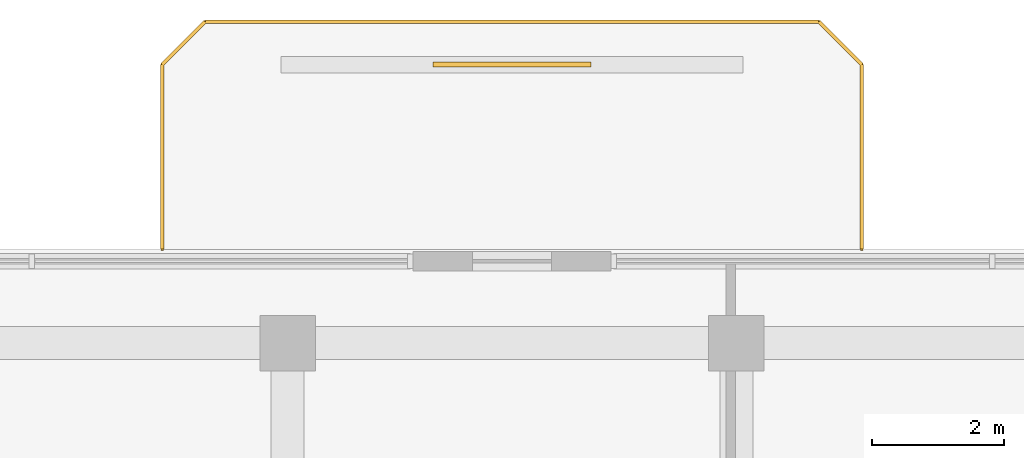
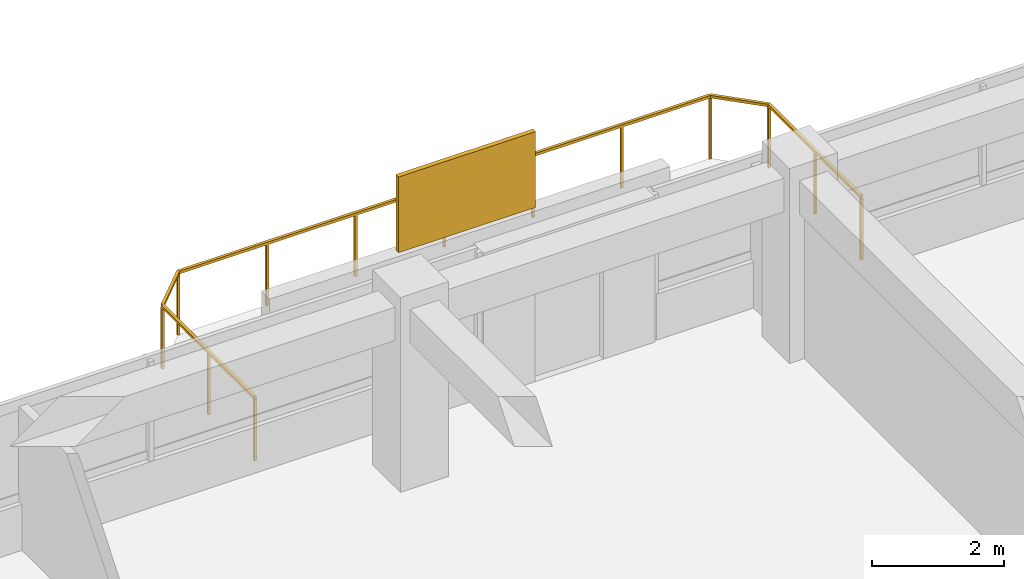
# One storey, part 14 of 14: 1 railing, 1 shading device.
"""IFC4 building model written with IfcOpenShell, lengths in metres."""

from ifc_helpers import new_model, si_unit, derived_unit, direction, frame, origin, origin_2d, place, context, subcontext, project, spatial, rectangle, extrude, material, layer, layer_set, type_object, element, save


model = new_model("IFC4")

# Units and contexts
model_context = context("Model", 3, precision=1e-05, world=origin(), true_north=direction((0.0, 1.0)))
body_context = subcontext(model_context, "Body", "Model", "MODEL_VIEW")
ifc_project = project(units=[si_unit("LENGTHUNIT", "METRE"), si_unit("AREAUNIT", "SQUARE_METRE"), si_unit("VOLUMEUNIT", "CUBIC_METRE"), si_unit("PLANEANGLEUNIT", "RADIAN"), si_unit("MASSUNIT", "GRAM", prefix="KILO"), derived_unit("THERMALTRANSMITTANCEUNIT", [(si_unit("POWERUNIT", "WATT"), 1), (si_unit("LENGTHUNIT", "METRE"), -2), (si_unit("THERMODYNAMICTEMPERATUREUNIT", "KELVIN"), -1)])], contexts=[model_context])

# Site, building, storey
site_placement = place(None, origin())
site = spatial("IfcSite", under=ifc_project, at=site_placement, CompositionType="ELEMENT")
building_placement = place(site_placement, origin())
building = spatial("IfcBuilding", under=site, at=building_placement, Name="Koralith Skygarden Medical Center", CompositionType="ELEMENT")
storey_placement = place(building_placement, frame((0.0, 0.0, 275.219970703125)))
storey = spatial("IfcBuildingStorey", under=building, at=storey_placement, Name="L71", CompositionType="ELEMENT", Elevation=275.219970703125)

# Railing
ifc_material_1 = material(Name="Steel ASTM A500 Grade C", Category="steel")
railing_type = type_object("IfcRailingType", Name="Outdoor Terrace & Balcony Safety Guardrail 1180", PredefinedType="GUARDRAIL", material=ifc_material_1)
railing_placement = place(storey_placement, frame((42.300048828125, 47.39990234375, 0.0)))
element("IfcRailing", 1, at=railing_placement, inside=storey, type_object=railing_type, Name="L71 N Balcony Perimeter Guardrail", PredefinedType="GUARDRAIL", context=body_context, shape_type="SweptSolid", body=[
    extrude(rectangle(XDim=0.050048828125, YDim=0.050048828125, at=origin_2d()), frame((0.0, 0.001953125, 1.15478515625), z_axis=(0.0, 1.0, 0.0), x_axis=(-1.0, 0.0, 0.0)), (0.0, 0.0, 1.0), 2.796142578125),
    extrude(rectangle(XDim=0.050048828125, YDim=0.050048828125, at=origin_2d()), frame((-0.00146484375, 2.801513671875, 1.15478515625), z_axis=(-0.707106781187, 0.707106781187, 0.0), x_axis=(-0.707106781187, -0.707106781187, 0.0)), (0.0, 0.0, 1.0), 0.91552734375),
    extrude(rectangle(XDim=0.050048828125, YDim=0.050048828125, at=origin_2d()), frame((-0.652099609375, 3.4501953125, 1.15478515625), z_axis=(-1.0, 0.0, 0.0), x_axis=(0.0, -1.0, 0.0)), (0.0, 0.0, 1.0), 9.2958984375),
    extrude(rectangle(XDim=0.050048828125, YDim=0.050048828125, at=origin_2d()), frame((-9.951416015625, 3.44873046875, 1.15478515625), z_axis=(-0.707106781187, -0.707106781187, 0.0), x_axis=(0.707106781187, -0.707106781187, 0.0)), (0.0, 0.0, 1.0), 0.91552734375),
    extrude(rectangle(XDim=0.050048828125, YDim=0.050048828125, at=origin_2d()), frame((-10.60009765625, 2.798095703125, 1.15478515625), z_axis=(0.0, -1.0, 0.0), x_axis=(1.0, 0.0, 0.0)), (0.0, 0.0, 1.0), 2.796142578125),
    extrude(rectangle(XDim=0.0419921875, YDim=0.0419921875, at=origin_2d()), origin(), (0.0, 0.0, 1.0), 1.1279296875),
    extrude(rectangle(XDim=0.0419921875, YDim=0.0419921875, at=origin_2d()), frame((0.0, 1.39990234375, 0.0)), (0.0, 0.0, 1.0), 1.1279296875),
    extrude(rectangle(XDim=0.0419921875, YDim=0.0419921875, at=origin_2d()), frame((0.0, 2.800048828125, 0.0)), (0.0, 0.0, 1.0), 1.1279296875),
    extrude(rectangle(XDim=0.0419921875, YDim=0.0419921875, at=origin_2d()), frame((-0.650146484375, 3.4501953125, 0.0)), (0.0, 0.0, 1.0), 1.1279296875),
    extrude(rectangle(XDim=0.0419921875, YDim=0.0419921875, at=origin_2d()), frame((-2.2001953125, 3.4501953125, 0.0)), (0.0, 0.0, 1.0), 1.1279296875),
    extrude(rectangle(XDim=0.0419921875, YDim=0.0419921875, at=origin_2d()), frame((-3.75, 3.4501953125, 0.0)), (0.0, 0.0, 1.0), 1.1279296875),
    extrude(rectangle(XDim=0.0419921875, YDim=0.0419921875, at=origin_2d()), frame((-5.300048828125, 3.4501953125, 0.0)), (0.0, 0.0, 1.0), 1.1279296875),
    extrude(rectangle(XDim=0.0419921875, YDim=0.0419921875, at=origin_2d()), frame((-6.85009765625, 3.4501953125, 0.0)), (0.0, 0.0, 1.0), 1.1279296875),
    extrude(rectangle(XDim=0.0419921875, YDim=0.0419921875, at=origin_2d()), frame((-8.39990234375, 3.4501953125, 0.0)), (0.0, 0.0, 1.0), 1.1279296875),
    extrude(rectangle(XDim=0.0419921875, YDim=0.0419921875, at=origin_2d()), frame((-9.949951171875, 3.4501953125, 0.0)), (0.0, 0.0, 1.0), 1.1279296875),
    extrude(rectangle(XDim=0.0419921875, YDim=0.0419921875, at=origin_2d()), frame((-10.60009765625, 2.800048828125, 0.0)), (0.0, 0.0, 1.0), 1.1279296875),
    extrude(rectangle(XDim=0.0419921875, YDim=0.0419921875, at=origin_2d()), frame((-10.60009765625, 1.39990234375, 0.0)), (0.0, 0.0, 1.0), 1.1279296875),
    extrude(rectangle(XDim=0.0419921875, YDim=0.0419921875, at=origin_2d()), frame((-10.60009765625, 0.0, 0.0)), (0.0, 0.0, 1.0), 1.1279296875),
])

# Shading device
ifc_material_2 = material(Name="Aluminium 6063-T6", Category="aluminium")
ifc_layer = layer(ifc_material_2, 0.080078125)
ifc_layer_set = layer_set([ifc_layer], Name="Aluminium 6063-T6")
shading_device_type = type_object("IfcShadingDeviceType", Name="Perforated Biophilic Balcony Trellis Screen", PredefinedType="USERDEFINED", material=ifc_layer_set)
shading_device_placement = place(storey_placement, frame((37.0, 50.199951171875, 0.719970703125), z_axis=(0.0, 0.0, 1.0), x_axis=(1.0, 0.0, 0.0)))
element("IfcShadingDevice", 2, at=shading_device_placement, inside=storey, type_object=shading_device_type, Name="L71 N Biophilic Balcony Trellis Screen", ObjectType="HURRICANE SCREEN", PredefinedType="USERDEFINED", context=body_context, shape_type="SweptSolid", body=[
    extrude(rectangle(XDim=2.39990234375, YDim=0.080078125, at=origin_2d()), origin(), (0.0, 0.0, 1.0), 1.39990234375),
])

save(model, "model.ifc")
